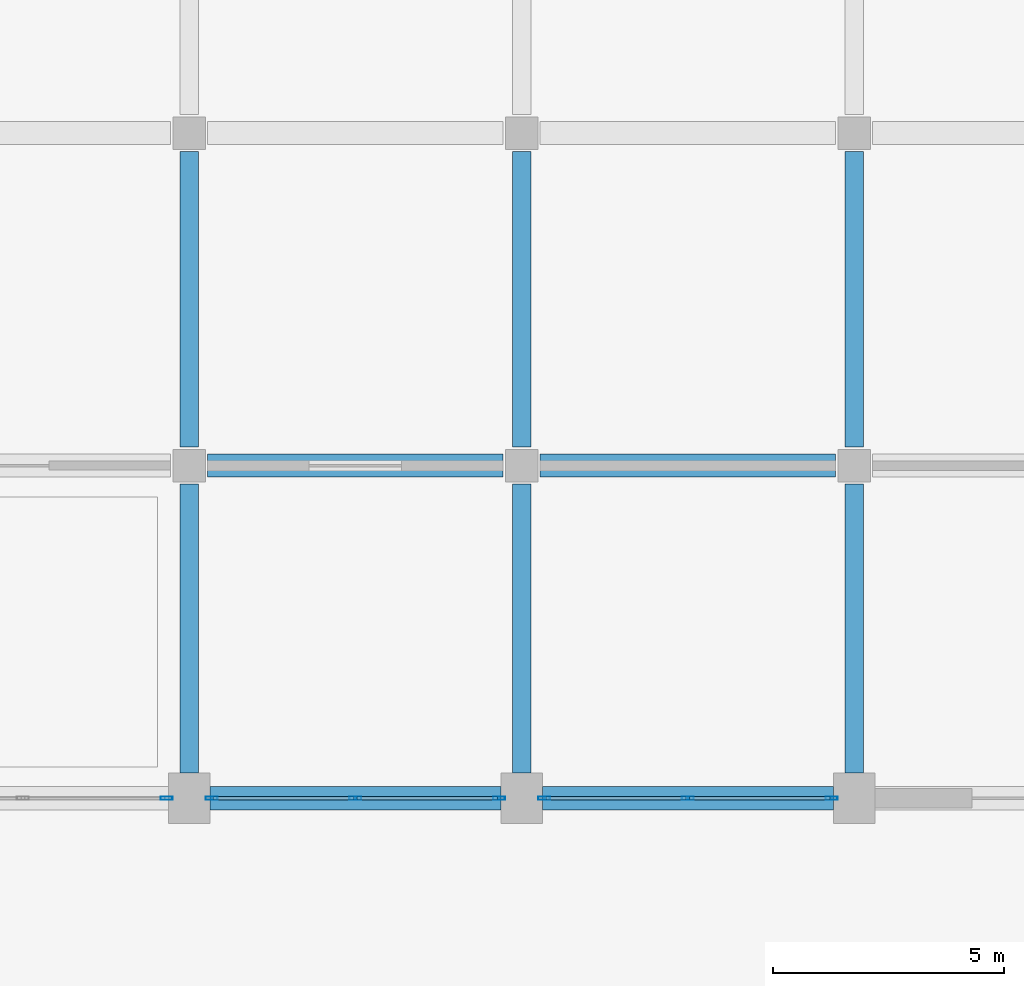
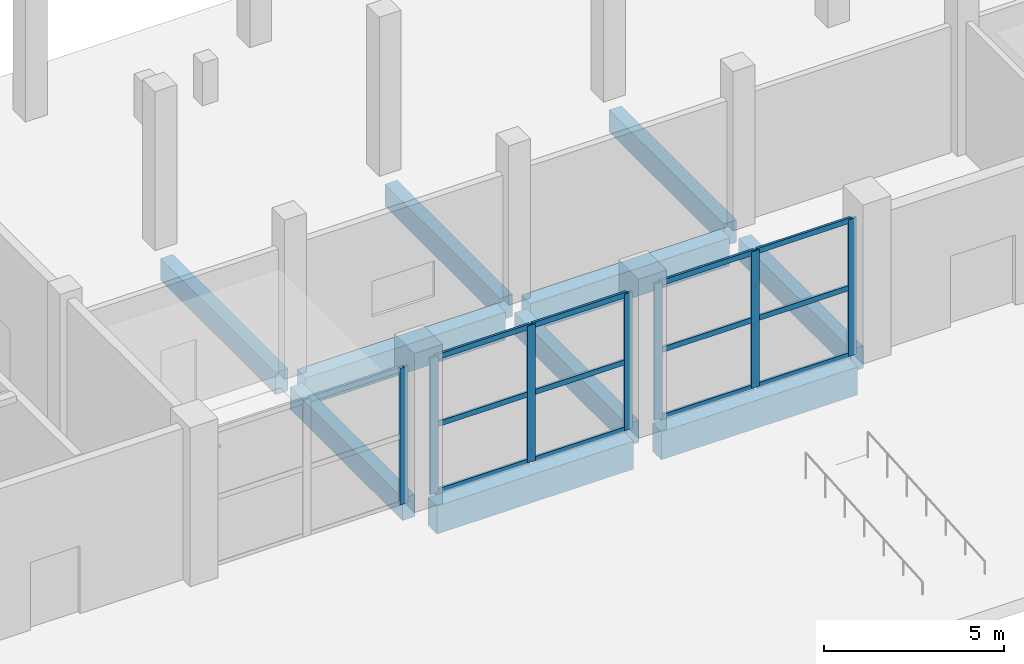
# One storey, part 10 of 70: 19 members, 10 beams, 3 elements without a shape of their own.
"""IFC4 building model written with IfcOpenShell, lengths in metres."""

from ifc_helpers import new_model, si_unit, direction, frame, origin, origin_2d, place, context, subcontext, project, spatial, rectangle, hollow_rectangle, extrude, material, material_profile, profile_set, type_object, element, aggregate, save


model = new_model("IFC4")

# Units and contexts
model_context = context("Model", 3, precision=1e-05, world=origin(), true_north=direction((0.0, 1.0)))
body_context = subcontext(model_context, "Body", "Model", "MODEL_VIEW")
ifc_project = project(units=[si_unit("LENGTHUNIT", "METRE"), si_unit("AREAUNIT", "SQUARE_METRE"), si_unit("VOLUMEUNIT", "CUBIC_METRE"), si_unit("PLANEANGLEUNIT", "RADIAN"), si_unit("MASSUNIT", "GRAM", prefix="KILO")], contexts=[model_context])

# Site, building, storey
site_placement = place(None, origin())
site = spatial("IfcSite", under=ifc_project, at=site_placement, CompositionType="ELEMENT")
building_placement = place(site_placement, origin())
building = spatial("IfcBuilding", under=site, at=building_placement, Name="Vesperath Aquatics Centre", CompositionType="ELEMENT")
storey_placement = place(building_placement, origin())
storey = spatial("IfcBuildingStorey", under=building, at=storey_placement, Name="L00", CompositionType="ELEMENT", Elevation=0.0)

# Beams
ifc_material_1 = material(Name="Concrete C40", Category="concrete")
ifc_material_profile_1 = material_profile(ifc_material_1, rectangle(XDim=0.5, YDim=0.949951171875, at=origin_2d()), Name="RC 500x950")
ifc_profile_set_1 = profile_set([ifc_material_profile_1], Name="Concrete C40")
beam_type_1 = type_object("IfcBeamType", Name="BM-G02", PredefinedType="BEAM", material=ifc_profile_set_1)
beam_1_placement = place(storey_placement, frame((65.25, 14.39990234375, -0.7548828125), z_axis=(1.0, 0.0, 0.0), x_axis=(0.0, 1.0, 0.0)))
element("IfcBeam", 1, at=beam_1_placement, inside=storey, type_object=beam_type_1, Name="Floor Girder B02 L00 C 10-11", PredefinedType="BEAM", context=body_context, shape_type="SweptSolid", body=[
    extrude(rectangle(XDim=0.5, YDim=0.949951171875, at=origin_2d()), origin(), (0.0, 0.0, 1.0), 6.300048828125),
])
beam_2_placement = place(storey_placement, frame((65.199951171875, 21.60009765625, -0.7548828125), z_axis=(1.0, 0.0, 0.0), x_axis=(0.0, 1.0, 0.0)))
element("IfcBeam", 2, at=beam_2_placement, inside=storey, type_object=beam_type_1, Name="Floor Girder B02 L00 D 10-11", PredefinedType="BEAM", context=body_context, shape_type="SweptSolid", body=[
    extrude(rectangle(XDim=0.5, YDim=0.949951171875, at=origin_2d()), origin(), (0.0, 0.0, 1.0), 6.400146484375),
])
beam_3_placement = place(storey_placement, frame((72.449951171875, 14.39990234375, -0.7548828125), z_axis=(1.0, 0.0, 0.0), x_axis=(0.0, 1.0, 0.0)))
element("IfcBeam", 3, at=beam_3_placement, inside=storey, type_object=beam_type_1, Name="Floor Girder B02 L00 C 11-12", PredefinedType="BEAM", context=body_context, shape_type="SweptSolid", body=[
    extrude(rectangle(XDim=0.5, YDim=0.949951171875, at=origin_2d()), origin(), (0.0, 0.0, 1.0), 6.300048828125),
])
beam_4_placement = place(storey_placement, frame((72.39990234375, 21.60009765625, -0.7548828125), z_axis=(1.0, 0.0, 0.0), x_axis=(0.0, 1.0, 0.0)))
element("IfcBeam", 4, at=beam_4_placement, inside=storey, type_object=beam_type_1, Name="Floor Girder B02 L00 D 11-12", PredefinedType="BEAM", context=body_context, shape_type="SweptSolid", body=[
    extrude(rectangle(XDim=0.5, YDim=0.949951171875, at=origin_2d()), origin(), (0.0, 0.0, 1.0), 6.400146484375),
])
ifc_material_2 = material(Name="Concrete C35", Category="concrete")
ifc_material_profile_2 = material_profile(ifc_material_2, rectangle(XDim=0.39990234375, YDim=0.75, at=origin_2d()), Name="RC 400x750")
ifc_profile_set_2 = profile_set([ifc_material_profile_2], Name="Concrete C35")
beam_type_2 = type_object("IfcBeamType", Name="BM-G04", PredefinedType="BEAM", material=ifc_profile_set_2)
beam_5_placement = place(storey_placement, frame((64.800048828125, 14.949951171875, -0.655029296875), z_axis=(0.0, 1.0, 0.0), x_axis=(-1.0, 0.0, 0.0)))
element("IfcBeam", 5, at=beam_5_placement, inside=storey, type_object=beam_type_2, Name="Floor Girder B04 L00 10 C-D", PredefinedType="BEAM", context=body_context, shape_type="SweptSolid", body=[
    extrude(rectangle(XDim=0.39990234375, YDim=0.75, at=origin_2d()), origin(), (0.0, 0.0, 1.0), 6.25),
])
beam_6_placement = place(storey_placement, frame((64.800048828125, 22.0, -0.655029296875), z_axis=(0.0, 1.0, 0.0), x_axis=(-1.0, 0.0, 0.0)))
element("IfcBeam", 6, at=beam_6_placement, inside=storey, type_object=beam_type_2, Name="Floor Girder B04 L00 10 D-E", PredefinedType="BEAM", context=body_context, shape_type="SweptSolid", body=[
    extrude(rectangle(XDim=0.39990234375, YDim=0.75, at=origin_2d()), origin(), (0.0, 0.0, 1.0), 6.39990234375),
])
beam_7_placement = place(storey_placement, frame((72.0, 14.949951171875, -0.655029296875), z_axis=(0.0, 1.0, 0.0), x_axis=(-1.0, 0.0, 0.0)))
element("IfcBeam", 7, at=beam_7_placement, inside=storey, type_object=beam_type_2, Name="Floor Girder B04 L00 11 C-D", PredefinedType="BEAM", context=body_context, shape_type="SweptSolid", body=[
    extrude(rectangle(XDim=0.39990234375, YDim=0.75, at=origin_2d()), origin(), (0.0, 0.0, 1.0), 6.25),
])
beam_8_placement = place(storey_placement, frame((72.0, 22.0, -0.655029296875), z_axis=(0.0, 1.0, 0.0), x_axis=(-1.0, 0.0, 0.0)))
element("IfcBeam", 8, at=beam_8_placement, inside=storey, type_object=beam_type_2, Name="Floor Girder B04 L00 11 D-E", PredefinedType="BEAM", context=body_context, shape_type="SweptSolid", body=[
    extrude(rectangle(XDim=0.39990234375, YDim=0.75, at=origin_2d()), origin(), (0.0, 0.0, 1.0), 6.39990234375),
])
beam_9_placement = place(storey_placement, frame((79.199951171875, 14.949951171875, -0.655029296875), z_axis=(0.0, 1.0, 0.0), x_axis=(-1.0, 0.0, 0.0)))
element("IfcBeam", 9, at=beam_9_placement, inside=storey, type_object=beam_type_2, Name="Floor Girder B04 L00 12 C-D", PredefinedType="BEAM", context=body_context, shape_type="SweptSolid", body=[
    extrude(rectangle(XDim=0.39990234375, YDim=0.75, at=origin_2d()), origin(), (0.0, 0.0, 1.0), 6.25),
])
beam_10_placement = place(storey_placement, frame((79.199951171875, 22.0, -0.655029296875), z_axis=(0.0, 1.0, 0.0), x_axis=(-1.0, 0.0, 0.0)))
element("IfcBeam", 10, at=beam_10_placement, inside=storey, type_object=beam_type_2, Name="Floor Girder B04 L00 12 D-E", PredefinedType="BEAM", context=body_context, shape_type="SweptSolid", body=[
    extrude(rectangle(XDim=0.39990234375, YDim=0.75, at=origin_2d()), origin(), (0.0, 0.0, 1.0), 6.39990234375),
])

# Curtain wall, member
ifc_material_3 = material(Name="Thermally broken anodised bronze aluminium curtain wall", Category="aluminium")
curtain_wall_type = type_object("IfcCurtainWallType", Name="CW-01", PredefinedType="NOTDEFINED", material=ifc_material_3)
curtain_wall_1_placement = place(storey_placement, origin())
curtain_wall_1 = element("IfcCurtainWall", 11, at=curtain_wall_1_placement, inside=storey, type_object=curtain_wall_type, Name="Facade Curtain Wall CW01 L00_S_08_02", PredefinedType="NOTDEFINED")
ifc_material_4 = material(Name="Thermally broken anodised aluminium", Category="aluminium")
ifc_material_profile_3 = material_profile(ifc_material_4, hollow_rectangle(XDim=0.074951171875, YDim=0.260009765625, WallThickness=0.006103515625, at=origin_2d()), Name="CWM 75x260x6")
ifc_profile_set_3 = profile_set([ifc_material_profile_3], Name="Thermally broken anodised aluminium")
member_type_1 = type_object("IfcMemberType", Name="MB-CWM1", PredefinedType="MULLION", material=ifc_profile_set_3)
member_1_placement = place(storey_placement, frame((64.3125, 14.39990234375, 0.0), z_axis=(0.0, 0.0, 1.0), x_axis=(0.0, 1.0, 0.0)))
member_1 = element("IfcMember", 12, at=member_1_placement, type_object=member_type_1, Name="CW01 mullion 3", PredefinedType="MULLION", context=body_context, shape_type="SweptSolid", body=[
    extrude(hollow_rectangle(XDim=0.074951171875, YDim=0.260009765625, WallThickness=0.006103515625, at=origin_2d()), origin(), (0.0, 0.0, 1.0), 4.639892578125),
])
aggregate(curtain_wall_1, [member_1])

# Curtain wall, members
curtain_wall_2_placement = place(storey_placement, origin())
curtain_wall_2 = element("IfcCurtainWall", 13, at=curtain_wall_2_placement, inside=storey, type_object=curtain_wall_type, Name="Facade Curtain Wall CW01 L00_S_09_02", PredefinedType="NOTDEFINED")
member_2_placement = place(storey_placement, frame((65.28759765625, 14.39990234375, 0.0), z_axis=(0.0, 0.0, 1.0), x_axis=(0.0, 1.0, 0.0)))
member_2 = element("IfcMember", 14, at=member_2_placement, type_object=member_type_1, Name="CW01 mullion 1", PredefinedType="MULLION", context=body_context, shape_type="SweptSolid", body=[
    extrude(hollow_rectangle(XDim=0.074951171875, YDim=0.260009765625, WallThickness=0.006103515625, at=origin_2d()), origin(), (0.0, 0.0, 1.0), 4.639892578125),
])
member_3_placement = place(storey_placement, frame((68.39990234375, 14.39990234375, 0.0), z_axis=(0.0, 0.0, 1.0), x_axis=(0.0, 1.0, 0.0)))
member_3 = element("IfcMember", 15, at=member_3_placement, type_object=member_type_1, Name="CW01 mullion 2", PredefinedType="MULLION", context=body_context, shape_type="SweptSolid", body=[
    extrude(hollow_rectangle(XDim=0.074951171875, YDim=0.260009765625, WallThickness=0.006103515625, at=origin_2d()), origin(), (0.0, 0.0, 1.0), 4.639892578125),
])
member_4_placement = place(storey_placement, frame((71.512451171875, 14.39990234375, 0.0), z_axis=(0.0, 0.0, 1.0), x_axis=(0.0, 1.0, 0.0)))
member_4 = element("IfcMember", 16, at=member_4_placement, type_object=member_type_1, Name="CW01 mullion 3", PredefinedType="MULLION", context=body_context, shape_type="SweptSolid", body=[
    extrude(hollow_rectangle(XDim=0.074951171875, YDim=0.260009765625, WallThickness=0.006103515625, at=origin_2d()), origin(), (0.0, 0.0, 1.0), 4.639892578125),
])

curtain_wall_3_placement = place(storey_placement, origin())
curtain_wall_3 = element("IfcCurtainWall", 17, at=curtain_wall_3_placement, inside=storey, type_object=curtain_wall_type, Name="Facade Curtain Wall CW01 L00_S_10_02", PredefinedType="NOTDEFINED")
member_5_placement = place(storey_placement, frame((72.487548828125, 14.39990234375, 0.0), z_axis=(0.0, 0.0, 1.0), x_axis=(0.0, 1.0, 0.0)))
member_5 = element("IfcMember", 18, at=member_5_placement, type_object=member_type_1, Name="CW01 mullion 1", PredefinedType="MULLION", context=body_context, shape_type="SweptSolid", body=[
    extrude(hollow_rectangle(XDim=0.074951171875, YDim=0.260009765625, WallThickness=0.006103515625, at=origin_2d()), origin(), (0.0, 0.0, 1.0), 4.639892578125),
])
member_6_placement = place(storey_placement, frame((75.60009765625, 14.39990234375, 0.0), z_axis=(0.0, 0.0, 1.0), x_axis=(0.0, 1.0, 0.0)))
member_6 = element("IfcMember", 19, at=member_6_placement, type_object=member_type_1, Name="CW01 mullion 2", PredefinedType="MULLION", context=body_context, shape_type="SweptSolid", body=[
    extrude(hollow_rectangle(XDim=0.074951171875, YDim=0.260009765625, WallThickness=0.006103515625, at=origin_2d()), origin(), (0.0, 0.0, 1.0), 4.639892578125),
])
member_7_placement = place(storey_placement, frame((78.71240234375, 14.39990234375, 0.0), z_axis=(0.0, 0.0, 1.0), x_axis=(0.0, 1.0, 0.0)))
member_7 = element("IfcMember", 20, at=member_7_placement, type_object=member_type_1, Name="CW01 mullion 3", PredefinedType="MULLION", context=body_context, shape_type="SweptSolid", body=[
    extrude(hollow_rectangle(XDim=0.074951171875, YDim=0.260009765625, WallThickness=0.006103515625, at=origin_2d()), origin(), (0.0, 0.0, 1.0), 4.639892578125),
])

# Member
ifc_material_profile_4 = material_profile(ifc_material_4, hollow_rectangle(XDim=0.074951171875, YDim=0.179931640625, WallThickness=0.0048828125, at=origin_2d()), Name="CWT 75x180x5")
ifc_profile_set_4 = profile_set([ifc_material_profile_4], Name="Thermally broken anodised aluminium")
member_type_2 = type_object("IfcMemberType", Name="MB-CWT1", PredefinedType="USERDEFINED", material=ifc_profile_set_4)
member_8_placement = place(storey_placement, frame((65.324951171875, 14.39990234375, 0.03759765625), z_axis=(1.0, 0.0, 0.0), x_axis=(0.0, 1.0, 0.0)))
member_8 = element("IfcMember", 21, at=member_8_placement, type_object=member_type_2, Name="CW01 transom 1.1", ObjectType="TRANSOM", PredefinedType="USERDEFINED", context=body_context, shape_type="SweptSolid", body=[
    extrude(hollow_rectangle(XDim=0.074951171875, YDim=0.179931640625, WallThickness=0.0048828125, at=origin_2d()), origin(), (0.0, 0.0, 1.0), 3.03759765625),
])

member_9_placement = place(storey_placement, frame((65.324951171875, 14.39990234375, 2.320068359375), z_axis=(1.0, 0.0, 0.0), x_axis=(0.0, 1.0, 0.0)))
member_9 = element("IfcMember", 22, at=member_9_placement, type_object=member_type_2, Name="CW01 transom 1.2", ObjectType="TRANSOM", PredefinedType="USERDEFINED", context=body_context, shape_type="SweptSolid", body=[
    extrude(hollow_rectangle(XDim=0.074951171875, YDim=0.179931640625, WallThickness=0.0048828125, at=origin_2d()), origin(), (0.0, 0.0, 1.0), 3.03759765625),
])

member_10_placement = place(storey_placement, frame((65.324951171875, 14.39990234375, 4.6025390625), z_axis=(1.0, 0.0, 0.0), x_axis=(0.0, 1.0, 0.0)))
member_10 = element("IfcMember", 23, at=member_10_placement, type_object=member_type_2, Name="CW01 transom 1.3", ObjectType="TRANSOM", PredefinedType="USERDEFINED", context=body_context, shape_type="SweptSolid", body=[
    extrude(hollow_rectangle(XDim=0.074951171875, YDim=0.179931640625, WallThickness=0.0048828125, at=origin_2d()), origin(), (0.0, 0.0, 1.0), 3.03759765625),
])

member_11_placement = place(storey_placement, frame((68.4375, 14.39990234375, 0.03759765625), z_axis=(1.0, 0.0, 0.0), x_axis=(0.0, 1.0, 0.0)))
member_11 = element("IfcMember", 24, at=member_11_placement, type_object=member_type_2, Name="CW01 transom 2.1", ObjectType="TRANSOM", PredefinedType="USERDEFINED", context=body_context, shape_type="SweptSolid", body=[
    extrude(hollow_rectangle(XDim=0.074951171875, YDim=0.179931640625, WallThickness=0.0048828125, at=origin_2d()), origin(), (0.0, 0.0, 1.0), 3.03759765625),
])

member_12_placement = place(storey_placement, frame((68.4375, 14.39990234375, 2.320068359375), z_axis=(1.0, 0.0, 0.0), x_axis=(0.0, 1.0, 0.0)))
member_12 = element("IfcMember", 25, at=member_12_placement, type_object=member_type_2, Name="CW01 transom 2.2", ObjectType="TRANSOM", PredefinedType="USERDEFINED", context=body_context, shape_type="SweptSolid", body=[
    extrude(hollow_rectangle(XDim=0.074951171875, YDim=0.179931640625, WallThickness=0.0048828125, at=origin_2d()), origin(), (0.0, 0.0, 1.0), 3.03759765625),
])

member_13_placement = place(storey_placement, frame((68.4375, 14.39990234375, 4.6025390625), z_axis=(1.0, 0.0, 0.0), x_axis=(0.0, 1.0, 0.0)))
member_13 = element("IfcMember", 26, at=member_13_placement, type_object=member_type_2, Name="CW01 transom 2.3", ObjectType="TRANSOM", PredefinedType="USERDEFINED", context=body_context, shape_type="SweptSolid", body=[
    extrude(hollow_rectangle(XDim=0.074951171875, YDim=0.179931640625, WallThickness=0.0048828125, at=origin_2d()), origin(), (0.0, 0.0, 1.0), 3.03759765625),
])

aggregate(curtain_wall_2, [member_2, member_3, member_4, member_8, member_9, member_10, member_11, member_12, member_13])

member_14_placement = place(storey_placement, frame((72.52490234375, 14.39990234375, 0.03759765625), z_axis=(1.0, 0.0, 0.0), x_axis=(0.0, 1.0, 0.0)))
member_14 = element("IfcMember", 27, at=member_14_placement, type_object=member_type_2, Name="CW01 transom 1.1", ObjectType="TRANSOM", PredefinedType="USERDEFINED", context=body_context, shape_type="SweptSolid", body=[
    extrude(hollow_rectangle(XDim=0.074951171875, YDim=0.179931640625, WallThickness=0.0048828125, at=origin_2d()), origin(), (0.0, 0.0, 1.0), 3.03759765625),
])

member_15_placement = place(storey_placement, frame((72.52490234375, 14.39990234375, 2.320068359375), z_axis=(1.0, 0.0, 0.0), x_axis=(0.0, 1.0, 0.0)))
member_15 = element("IfcMember", 28, at=member_15_placement, type_object=member_type_2, Name="CW01 transom 1.2", ObjectType="TRANSOM", PredefinedType="USERDEFINED", context=body_context, shape_type="SweptSolid", body=[
    extrude(hollow_rectangle(XDim=0.074951171875, YDim=0.179931640625, WallThickness=0.0048828125, at=origin_2d()), origin(), (0.0, 0.0, 1.0), 3.03759765625),
])

member_16_placement = place(storey_placement, frame((72.52490234375, 14.39990234375, 4.6025390625), z_axis=(1.0, 0.0, 0.0), x_axis=(0.0, 1.0, 0.0)))
member_16 = element("IfcMember", 29, at=member_16_placement, type_object=member_type_2, Name="CW01 transom 1.3", ObjectType="TRANSOM", PredefinedType="USERDEFINED", context=body_context, shape_type="SweptSolid", body=[
    extrude(hollow_rectangle(XDim=0.074951171875, YDim=0.179931640625, WallThickness=0.0048828125, at=origin_2d()), origin(), (0.0, 0.0, 1.0), 3.03759765625),
])

member_17_placement = place(storey_placement, frame((75.637451171875, 14.39990234375, 0.03759765625), z_axis=(1.0, 0.0, 0.0), x_axis=(0.0, 1.0, 0.0)))
member_17 = element("IfcMember", 30, at=member_17_placement, type_object=member_type_2, Name="CW01 transom 2.1", ObjectType="TRANSOM", PredefinedType="USERDEFINED", context=body_context, shape_type="SweptSolid", body=[
    extrude(hollow_rectangle(XDim=0.074951171875, YDim=0.179931640625, WallThickness=0.0048828125, at=origin_2d()), origin(), (0.0, 0.0, 1.0), 3.03759765625),
])

member_18_placement = place(storey_placement, frame((75.637451171875, 14.39990234375, 2.320068359375), z_axis=(1.0, 0.0, 0.0), x_axis=(0.0, 1.0, 0.0)))
member_18 = element("IfcMember", 31, at=member_18_placement, type_object=member_type_2, Name="CW01 transom 2.2", ObjectType="TRANSOM", PredefinedType="USERDEFINED", context=body_context, shape_type="SweptSolid", body=[
    extrude(hollow_rectangle(XDim=0.074951171875, YDim=0.179931640625, WallThickness=0.0048828125, at=origin_2d()), origin(), (0.0, 0.0, 1.0), 3.03759765625),
])

member_19_placement = place(storey_placement, frame((75.637451171875, 14.39990234375, 4.6025390625), z_axis=(1.0, 0.0, 0.0), x_axis=(0.0, 1.0, 0.0)))
member_19 = element("IfcMember", 32, at=member_19_placement, type_object=member_type_2, Name="CW01 transom 2.3", ObjectType="TRANSOM", PredefinedType="USERDEFINED", context=body_context, shape_type="SweptSolid", body=[
    extrude(hollow_rectangle(XDim=0.074951171875, YDim=0.179931640625, WallThickness=0.0048828125, at=origin_2d()), origin(), (0.0, 0.0, 1.0), 3.03759765625),
])

aggregate(curtain_wall_3, [member_5, member_6, member_7, member_14, member_15, member_16, member_17, member_18, member_19])

save(model, "model.ifc")
